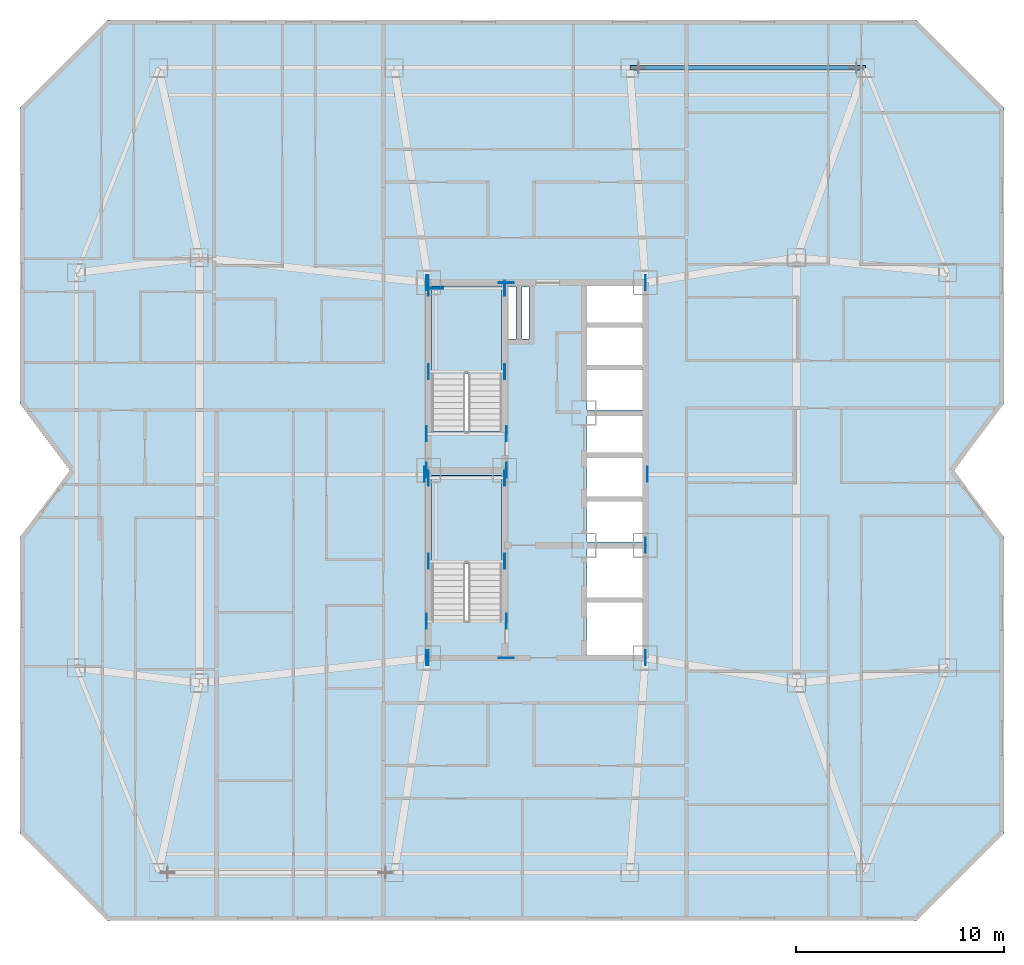
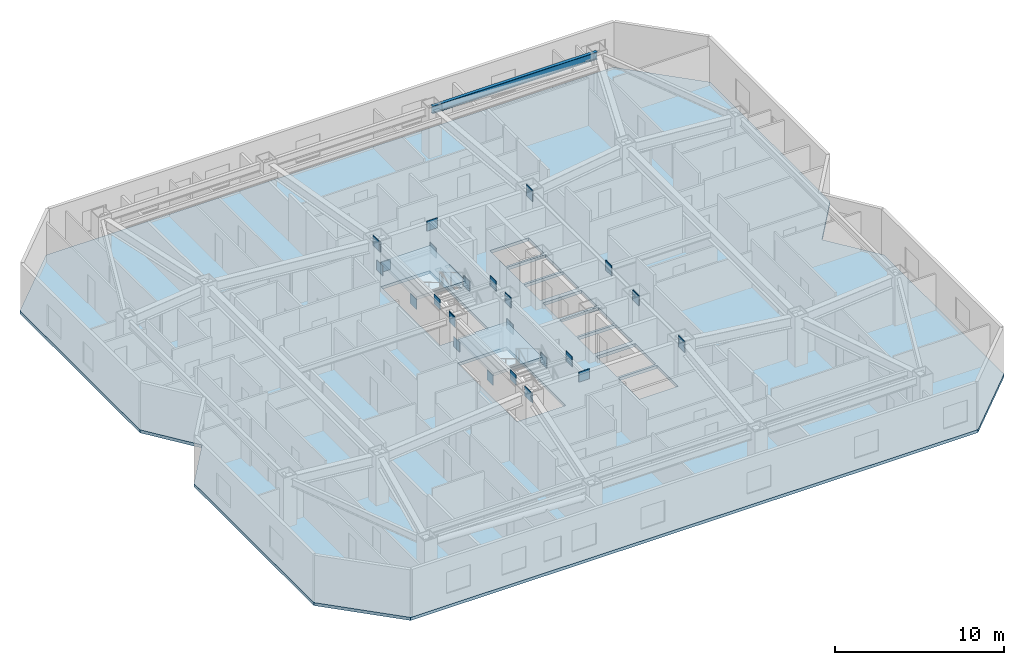
# One storey, part 2 of 12: 28 plates, 3 slabs, 1 beam, 2 elements without a shape of their own.
"""IFC4 building model written with IfcOpenShell, lengths in metres."""

from ifc_helpers import new_model, si_unit, direction, frame, origin, origin_2d, place, context, subcontext, project, spatial, polyline, rectangle, i_section, outline, extrude, material, layer, layer_set, material_profile, profile_set, type_object, element, aggregate, save


model = new_model("IFC4")

# Units and contexts
model_context = context("Model", 3, precision=1e-05, world=origin(), true_north=direction((0.0, 1.0)))
body_context = subcontext(model_context, "Body", "Model", "MODEL_VIEW")
ifc_project = project(units=[si_unit("LENGTHUNIT", "METRE"), si_unit("AREAUNIT", "SQUARE_METRE"), si_unit("VOLUMEUNIT", "CUBIC_METRE"), si_unit("PLANEANGLEUNIT", "RADIAN"), si_unit("MASSUNIT", "GRAM", prefix="KILO")], contexts=[model_context])

# Site, building, storey
site_placement = place(None, origin())
site = spatial("IfcSite", under=ifc_project, at=site_placement, CompositionType="ELEMENT")
building_placement = place(site_placement, origin())
building = spatial("IfcBuilding", under=site, at=building_placement, Name="Khamvora Tower", CompositionType="ELEMENT")
storey_placement = place(building_placement, frame((0.0, 0.0, 138.39990234375)))
storey = spatial("IfcBuildingStorey", under=building, at=storey_placement, Name="L35", CompositionType="ELEMENT", Elevation=138.39990234375)

# Beam
ifc_material_1 = material(Name="Steel S355", Category="steel")
ifc_material_profile = material_profile(ifc_material_1, i_section(OverallWidth=0.2119140625, OverallDepth=0.5439453125, WebThickness=0.012939453125, FlangeThickness=0.02099609375, FilletRadius=0.013916015625, at=origin_2d()), Name="W530x123")
ifc_profile_set = profile_set([ifc_material_profile], Name="Steel S355")
beam_type = type_object("IfcBeamType", Name="BM-SP-W530x123", PredefinedType="SPANDREL", material=ifc_profile_set)
beam_placement = place(storey_placement, frame((49.949951171875, 47.300048828125, 3.158203125), z_axis=(-1.0, 0.0, 0.0), x_axis=(0.0, -1.0, 0.0)))
element("IfcBeam", 1, at=beam_placement, inside=storey, type_object=beam_type, Name="L35 perimeter spandrel beam N4-N3", PredefinedType="SPANDREL", context=body_context, shape_type="SweptSolid", body=[
    extrude(i_section(OverallWidth=0.2119140625, OverallDepth=0.5439453125, WebThickness=0.012939453125, FlangeThickness=0.02099609375, FilletRadius=0.013916015625, at=origin_2d()), origin(), (0.0, 0.0, 1.0), 11.300048828125),
])

# Plates
ifc_material_2 = material(Name="Steel S460", Category="steel")
ifc_layer_1 = layer(ifc_material_2, 0.034912109375)
ifc_layer_set_1 = layer_set([ifc_layer_1], Name="Steel S460")
plate_type = type_object("IfcPlateType", Name="PL-EMB-35", PredefinedType="SHEET", material=ifc_layer_set_1)
for number, where, z_axis, x_axis, name in (
    (2, (29.0, 23.635009765625, 1.13427734375), (0.0, 0.0, 1.0), (1.0, 0.0, 0.0), "L35 core shear wall cast-in embed plate 1020"),
    (3, (32.64990234375, 23.635009765625, 1.13427734375), (0.0, 0.0, 1.0), (1.0, 0.0, 0.0), "L35 core shear wall cast-in embed plate 1021"),
    (4, (29.0, 27.6298828125, 1.13427734375), (0.0, 0.0, 1.0), (1.0, 0.0, 0.0), "L35 core shear wall cast-in embed plate 1022"),
    (5, (32.64990234375, 27.6298828125, 1.13427734375), (0.0, 0.0, 1.0), (1.0, 0.0, 0.0), "L35 core shear wall cast-in embed plate 1023"),
    (6, (29.0, 32.735107421875, 1.13427734375), (0.0, 0.0, 1.0), (1.0, 0.0, 0.0), "L35 core shear wall cast-in embed plate 1024"),
    (7, (32.64990234375, 32.735107421875, 1.13427734375), (0.0, 0.0, 1.0), (1.0, 0.0, 0.0), "L35 core shear wall cast-in embed plate 1025"),
    (8, (29.0, 36.72998046875, 1.13427734375), (0.0, 0.0, 1.0), (1.0, 0.0, 0.0), "L35 core shear wall cast-in embed plate 1026"),
    (9, (32.64990234375, 36.72998046875, 1.13427734375), (0.0, 0.0, 1.0), (1.0, 0.0, 0.0), "L35 core shear wall cast-in embed plate 1027"),
):
    element("IfcPlate", number, at=place(storey_placement, frame(where, z_axis=z_axis, x_axis=x_axis)), inside=storey, type_object=plate_type, Name=name, PredefinedType="SHEET", context=body_context, shape_type="SweptSolid", body=[
        extrude(rectangle(XDim=0.034912109375, YDim=0.719970703125, at=origin_2d()), origin(), (0.0, 0.0, 1.0), 0.719970703125),
    ])
plate_1_placement = place(storey_placement, frame((29.35009765625, 36.72998046875, 1.13427734375), z_axis=(0.0, 0.0, 1.0), x_axis=(1.0, 0.0, 0.0)))
element("IfcPlate", 10, at=plate_1_placement, inside=storey, type_object=plate_type, Name="L35 core shear wall cast-in embed plate 1028", PredefinedType="SHEET", context=body_context, shape_type="SweptSolid", body=[
    extrude(rectangle(XDim=0.719970703125, YDim=0.034912109375, at=origin_2d()), origin(), (0.0, 0.0, 1.0), 0.719970703125),
])
for number, where, z_axis, x_axis, name in (
    (11, (29.0, 19.0, 2.68408203125), (0.0, 0.0, 1.0), (1.0, 0.0, 0.0), "L35 core shear wall cast-in embed plate 1029"),
    (12, (39.39990234375, 19.0, 2.68408203125), (0.0, 0.0, 1.0), (1.0, 0.0, 0.0), "L35 core shear wall cast-in embed plate 1030"),
    (13, (29.0, 37.0, 2.68408203125), (0.0, 0.0, 1.0), (1.0, 0.0, 0.0), "L35 core shear wall cast-in embed plate 1031"),
    (14, (39.39990234375, 37.0, 2.68408203125), (0.0, 0.0, 1.0), (1.0, 0.0, 0.0), "L35 core shear wall cast-in embed plate 1032"),
    (15, (28.89990234375, 19.0, 2.80419921875), (0.0, 0.0, 1.0), (1.0, 0.0, 0.0), "L35 core shear wall cast-in embed plate 1033"),
    (16, (28.89990234375, 28.0, 2.80419921875), (0.0, 0.0, 1.0), (1.0, 0.0, 0.0), "L35 core shear wall cast-in embed plate 1034"),
    (17, (28.89990234375, 37.0, 2.80419921875), (0.0, 0.0, 1.0), (1.0, 0.0, 0.0), "L35 core shear wall cast-in embed plate 1035"),
):
    element("IfcPlate", number, at=place(storey_placement, frame(where, z_axis=z_axis, x_axis=x_axis)), inside=storey, type_object=plate_type, Name=name, PredefinedType="SHEET", context=body_context, shape_type="SweptSolid", body=[
        extrude(rectangle(XDim=0.034912109375, YDim=0.719970703125, at=origin_2d()), origin(), (0.0, 0.0, 1.0), 0.719970703125),
    ])
plate_2_placement = place(storey_placement, frame((32.72998046875, 19.0, 2.80419921875), z_axis=(0.0, 0.0, 1.0), x_axis=(1.0, 0.0, 0.0)))
element("IfcPlate", 18, at=plate_2_placement, inside=storey, type_object=plate_type, Name="L35 core shear wall cast-in embed plate 1036", PredefinedType="SHEET", context=body_context, shape_type="SweptSolid", body=[
    extrude(rectangle(XDim=0.719970703125, YDim=0.034912109375, at=origin_2d()), origin(), (0.0, 0.0, 1.0), 0.719970703125),
])
plate_3_placement = place(storey_placement, frame((32.72998046875, 28.0, 2.80419921875), z_axis=(0.0, 0.0, 1.0), x_axis=(1.0, 0.0, 0.0)))
element("IfcPlate", 19, at=plate_3_placement, inside=storey, type_object=plate_type, Name="L35 core shear wall cast-in embed plate 1037", PredefinedType="SHEET", context=body_context, shape_type="SweptSolid", body=[
    extrude(rectangle(XDim=0.034912109375, YDim=0.719970703125, at=origin_2d()), origin(), (0.0, 0.0, 1.0), 0.719970703125),
])
plate_4_placement = place(storey_placement, frame((32.72998046875, 37.0, 2.80419921875), z_axis=(0.0, 0.0, 1.0), x_axis=(1.0, 0.0, 0.0)))
element("IfcPlate", 20, at=plate_4_placement, inside=storey, type_object=plate_type, Name="L35 core shear wall cast-in embed plate 1038", PredefinedType="SHEET", context=body_context, shape_type="SweptSolid", body=[
    extrude(rectangle(XDim=0.719970703125, YDim=0.034912109375, at=origin_2d()), origin(), (0.0, 0.0, 1.0), 0.719970703125),
])
for number, where, z_axis, x_axis, name in (
    (21, (39.39990234375, 19.0, 2.80419921875), (0.0, 0.0, 1.0), (1.0, 0.0, 0.0), "L35 core shear wall cast-in embed plate 1039"),
    (22, (39.39990234375, 24.39990234375, 2.80419921875), (0.0, 0.0, 1.0), (1.0, 0.0, 0.0), "L35 core shear wall cast-in embed plate 1040"),
    (23, (39.39990234375, 37.0, 2.80419921875), (0.0, 0.0, 1.0), (1.0, 0.0, 0.0), "L35 core shear wall cast-in embed plate 1041"),
    (24, (28.89990234375, 20.75, 2.9443359375), (0.0, 0.0, 1.0), (1.0, 0.0, 0.0), "L35 core shear wall cast-in embed plate 1042"),
    (25, (32.72998046875, 20.75, 2.9443359375), (0.0, 0.0, 1.0), (1.0, 0.0, 0.0), "L35 core shear wall cast-in embed plate 1043"),
    (26, (28.89990234375, 29.75, 2.9443359375), (0.0, 0.0, 1.0), (1.0, 0.0, 0.0), "L35 core shear wall cast-in embed plate 1044"),
    (27, (32.72998046875, 29.75, 2.9443359375), (0.0, 0.0, 1.0), (1.0, 0.0, 0.0), "L35 core shear wall cast-in embed plate 1045"),
    (28, (28.800048828125, 27.800048828125, 2.8671875), (0.0, 0.0, 1.0), (1.0, 0.0, 0.0), "L35 core shear wall cast-in embed plate 1046"),
    (29, (39.4990234375, 27.800048828125, 2.8671875), (0.0, 0.0, 1.0), (1.0, 0.0, 0.0), "L35 core shear wall cast-in embed plate 1047"),
):
    element("IfcPlate", number, at=place(storey_placement, frame(where, z_axis=z_axis, x_axis=x_axis)), inside=storey, type_object=plate_type, Name=name, PredefinedType="SHEET", context=body_context, shape_type="SweptSolid", body=[
        extrude(rectangle(XDim=0.034912109375, YDim=0.719970703125, at=origin_2d()), origin(), (0.0, 0.0, 1.0), 0.719970703125),
    ])

# Stair, slab
ifc_material_3 = material(Name="Concrete C40/50", Category="concrete")
stair_type_1 = type_object("IfcStairType", Name="STR-ST-01", PredefinedType="HALF_TURN_STAIR", material=ifc_material_3)
stair_1_placement = place(storey_placement, origin())
stair_1 = element("IfcStair", 30, at=stair_1_placement, inside=storey, type_object=stair_type_1, Name="L35 South Tower Exit Stair ST-01", PredefinedType="HALF_TURN_STAIR")
ifc_layer_2 = layer(ifc_material_3, 0.199951171875)
ifc_layer_set_2 = layer_set([ifc_layer_2], Name="Concrete C40/50")
slab_type_1 = type_object("IfcSlabType", Name="SLB-LND-200", PredefinedType="LANDING", material=ifc_layer_set_2)
slab_1_placement = place(storey_placement, frame((0.0, 0.0, 1.625)))
slab_1 = element("IfcSlab", 31, at=slab_1_placement, type_object=slab_type_1, Name="ST-01 landing 1", PredefinedType="LANDING", context=body_context, shape_type="SweptSolid", body=[
    extrude(outline(polyline([(32.5, 23.514892578125), (32.5, 27.75), (29.14990234375, 27.75), (29.14990234375, 23.514892578125), (32.5, 23.514892578125)])), origin(), (0.0, 0.0, 1.0), 0.2001953125),
])
aggregate(stair_1, [slab_1])

stair_type_2 = type_object("IfcStairType", Name="STR-ST-02", PredefinedType="HALF_TURN_STAIR", material=ifc_material_3)
stair_2_placement = place(storey_placement, origin())
stair_2 = element("IfcStair", 32, at=stair_2_placement, inside=storey, type_object=stair_type_2, Name="L35 North Tower Exit Stair ST-02", PredefinedType="HALF_TURN_STAIR")
slab_2_placement = place(storey_placement, frame((0.0, 0.0, 1.625)))
slab_2 = element("IfcSlab", 33, at=slab_2_placement, type_object=slab_type_1, Name="ST-02 landing 1", PredefinedType="LANDING", context=body_context, shape_type="SweptSolid", body=[
    extrude(outline(polyline([(32.5, 32.614990234375), (32.5, 36.85009765625), (29.14990234375, 36.85009765625), (29.14990234375, 32.614990234375), (32.5, 32.614990234375)])), origin(), (0.0, 0.0, 1.0), 0.2001953125),
])
aggregate(stair_2, [slab_2])

# Slab
ifc_material_4 = material(Name="Concrete C35/45", Category="concrete")
ifc_layer_3 = layer(ifc_material_4, 0.219970703125)
ifc_layer_set_3 = layer_set([ifc_layer_3], Name="Concrete C35/45")
slab_type_2 = type_object("IfcSlabType", Name="SLB-TYP-220", PredefinedType="FLOOR", material=ifc_layer_set_3)
slab_3_placement = place(storey_placement, frame((0.0, 0.0, -0.219970703125)))
element("IfcSlab", 34, at=slab_3_placement, inside=storey, type_object=slab_type_2, Name="L35 structural floor slab", PredefinedType="FLOOR", context=body_context, shape_type="SweptSolid", body=[
    extrude(outline(polyline([(13.60009765625, 6.39990234375), (52.39990234375, 6.39990234375), (56.60009765625, 10.60009765625), (56.60009765625, 24.800048828125), (54.199951171875, 28.0), (56.60009765625, 31.199951171875), (56.60009765625, 45.39990234375), (52.39990234375, 49.60009765625), (13.60009765625, 49.60009765625), (9.39990234375, 45.39990234375), (9.39990234375, 31.199951171875), (11.800048828125, 28.0), (9.39990234375, 24.800048828125), (9.39990234375, 10.60009765625), (13.60009765625, 6.39990234375)]), holes=[polyline([(32.5, 20.760009765625), (32.5, 27.75), (29.14990234375, 27.75), (29.14990234375, 20.760009765625), (32.5, 20.760009765625)]), polyline([(32.5, 29.860107421875), (32.5, 36.85009765625), (29.14990234375, 36.85009765625), (29.14990234375, 29.860107421875), (32.5, 29.860107421875)]), polyline([(36.60009765625, 19.14990234375), (39.25, 19.14990234375), (39.25, 21.64990234375), (36.60009765625, 21.64990234375), (36.60009765625, 19.14990234375)]), polyline([(36.60009765625, 21.800048828125), (39.25, 21.800048828125), (39.25, 24.25), (36.60009765625, 24.25), (36.60009765625, 21.800048828125)]), polyline([(36.60009765625, 24.550048828125), (39.25, 24.550048828125), (39.25, 26.5), (36.60009765625, 26.5), (36.60009765625, 24.550048828125)]), polyline([(36.60009765625, 26.64990234375), (39.25, 26.64990234375), (39.25, 28.60009765625), (36.60009765625, 28.60009765625), (36.60009765625, 26.64990234375)]), polyline([(36.60009765625, 28.75), (39.25, 28.75), (39.25, 30.60009765625), (36.60009765625, 30.60009765625), (36.60009765625, 28.75)]), polyline([(36.60009765625, 30.89990234375), (39.25, 30.89990234375), (39.25, 32.800048828125), (36.60009765625, 32.800048828125), (36.60009765625, 30.89990234375)]), polyline([(36.60009765625, 32.949951171875), (39.25, 32.949951171875), (39.25, 34.85009765625), (36.60009765625, 34.85009765625), (36.60009765625, 32.949951171875)]), polyline([(36.60009765625, 35.0), (39.25, 35.0), (39.25, 36.85009765625), (36.60009765625, 36.85009765625), (36.60009765625, 35.0)]), polyline([(32.800048828125, 34.300048828125), (33.199951171875, 34.300048828125), (33.199951171875, 36.800048828125), (32.800048828125, 36.800048828125), (32.800048828125, 34.300048828125)]), polyline([(33.47998046875, 34.300048828125), (33.820068359375, 34.300048828125), (33.820068359375, 36.800048828125), (33.47998046875, 36.800048828125), (33.47998046875, 34.300048828125)])]), origin(), (0.0, 0.0, 1.0), 0.219970703125),
])

save(model, "model.ifc")
